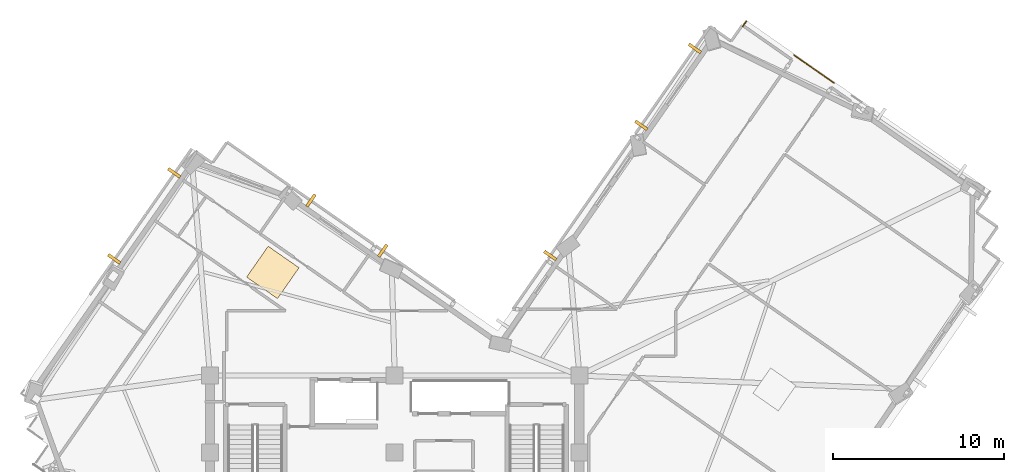
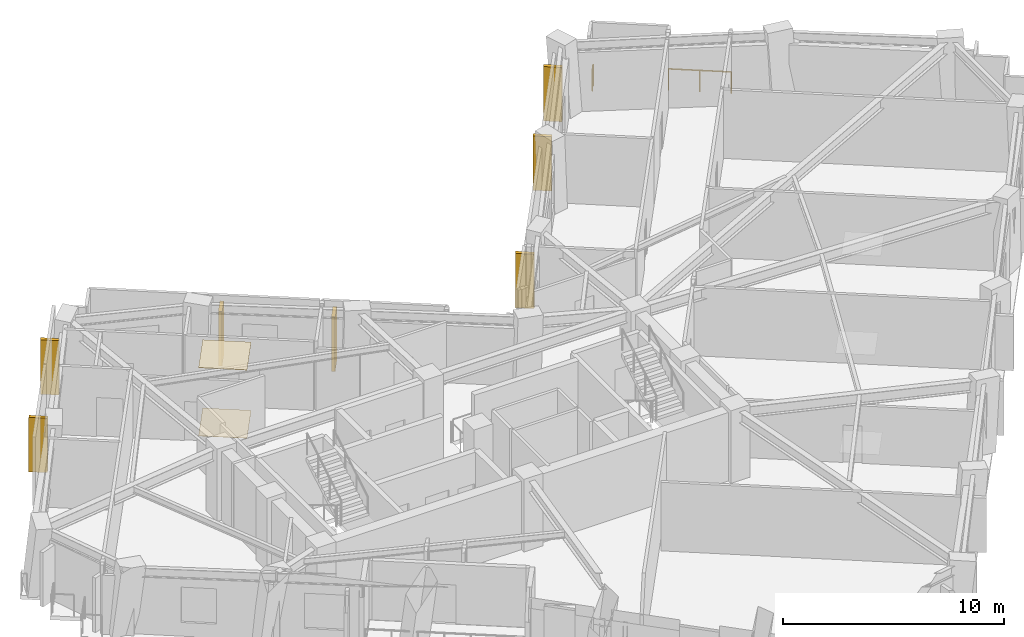
# One storey, part 11 of 12: 7 shading devices, 2 coverings, 2 railings.
"""IFC4 building model written with IfcOpenShell, lengths in metres."""

from ifc_helpers import new_model, si_unit, direction, frame, origin, origin_2d, place, context, subcontext, project, spatial, rectangle, circle, extrude, material, layer, layer_set, type_object, element, save


model = new_model("IFC4")

# Units and contexts
model_context = context("Model", 3, precision=1e-05, world=origin(), true_north=direction((0.0, 1.0)))
body_context = subcontext(model_context, "Body", "Model", "MODEL_VIEW")
ifc_project = project(units=[si_unit("LENGTHUNIT", "METRE"), si_unit("AREAUNIT", "SQUARE_METRE"), si_unit("VOLUMEUNIT", "CUBIC_METRE"), si_unit("PLANEANGLEUNIT", "RADIAN"), si_unit("MASSUNIT", "GRAM", prefix="KILO")], contexts=[model_context])

# Site, building, storey
site_placement = place(None, origin())
site = spatial("IfcSite", under=ifc_project, at=site_placement, CompositionType="ELEMENT")
building_placement = place(site_placement, origin())
building = spatial("IfcBuilding", under=site, at=building_placement, Name="Gaonmaruhae Medical Tower", CompositionType="ELEMENT")
storey_placement = place(building_placement, frame((0.0, 0.0, 259.199951171875)))
storey = spatial("IfcBuildingStorey", under=building, at=storey_placement, Name="L62", CompositionType="ELEMENT", Elevation=259.199951171875)

# Coverings
ifc_material_1 = material(Name="Acoustic mineral ceiling tile", Category="finish")
ifc_layer_1 = layer(ifc_material_1, 0.02490234375)
ifc_layer_set_1 = layer_set([ifc_layer_1], Name="Acoustic mineral ceiling tile")
covering_type_1 = type_object("IfcCoveringType", Name="CLG-01 Antimicrobial Acoustic Mineral Ceiling", PredefinedType="CEILING", material=ifc_layer_set_1)
covering_1_placement = place(storey_placement, frame((17.6748046875, 22.832763671875, 3.755126953125), z_axis=(0.0, 0.0, 1.0), x_axis=(0.572145873446, 0.820151875874, 0.0)))
element("IfcCovering", 1, at=covering_1_placement, inside=storey, type_object=covering_type_1, Name="L62 Clinical Corridor Acoustic Ceiling", PredefinedType="CEILING", context=body_context, shape_type="SweptSolid", body=[
    extrude(rectangle(XDim=2.199951171875, YDim=2.199951171875, at=origin_2d()), origin(), (0.0, 0.0, 1.0), 0.02490234375),
])
ifc_material_2 = material(Name="Seamless clinical vinyl flooring", Category="finish")
ifc_layer_2 = layer(ifc_material_2, 0.014892578125)
ifc_layer_set_2 = layer_set([ifc_layer_2], Name="Seamless clinical vinyl flooring")
covering_type_2 = type_object("IfcCoveringType", Name="FLR-01 Seamless Clinical Antistatic Vinyl Flooring", PredefinedType="FLOORING", material=ifc_layer_set_2)
covering_2_placement = place(storey_placement, frame((17.6748046875, 22.832763671875, 0.00048828125), z_axis=(0.0, 0.0, 1.0), x_axis=(0.572145873446, 0.820151875874, 0.0)))
element("IfcCovering", 2, at=covering_2_placement, inside=storey, type_object=covering_type_2, Name="L62 Clinical Corridor Vinyl Flooring", PredefinedType="FLOORING", context=body_context, shape_type="SweptSolid", body=[
    extrude(rectangle(XDim=2.199951171875, YDim=2.199951171875, at=origin_2d()), origin(), (0.0, 0.0, 1.0), 0.014892578125),
])

# Railings
ifc_material_3 = material(Name="Stainless steel 316L and laminated safety glass", Category="steel")
ifc_layer_3 = layer(ifc_material_3, 0.080078125)
ifc_layer_set_3 = layer_set([ifc_layer_3], Name="Stainless steel 316L and laminated safety glass")
railing_type = type_object("IfcRailingType", Name="GD-120 Outdoor Terrace Safety Glass & Steel Balustrade", PredefinedType="BALUSTRADE", material=ifc_layer_set_3)
railing_1_placement = place(storey_placement, frame((45.148193359375, 37.211669921875, 0.0)))
element("IfcRailing", 3, at=railing_1_placement, inside=storey, type_object=railing_type, Name="L62 Perimeter Slab Edge Safety Balustrade 04", PredefinedType="BALUSTRADE", context=body_context, shape_type="SweptSolid", body=[
    extrude(circle(Radius=0.02392578125, at=origin_2d()), frame((0.0, 0.0, 1.17578125), z_axis=(0.572336944093, 0.82001855005, 0.0), x_axis=(-0.82001855005, 0.572336944093, 0.0)), (0.0, 0.0, 1.0), 0.393310546875),
    extrude(circle(Radius=0.02099609375, at=origin_2d()), origin(), (0.0, 0.0, 1.0), 1.15185546875),
    extrude(circle(Radius=0.02099609375, at=origin_2d()), frame((0.22509765625, 0.322509765625, 0.0)), (0.0, 0.0, 1.0), 1.15185546875),
])
railing_2_placement = place(storey_placement, frame((48.150634765625, 35.53564453125, 0.0)))
element("IfcRailing", 4, at=railing_2_placement, inside=storey, type_object=railing_type, Name="L62 Perimeter Slab Edge Safety Balustrade 05", PredefinedType="BALUSTRADE", context=body_context, shape_type="SweptSolid", body=[
    extrude(circle(Radius=0.02392578125, at=origin_2d()), frame((0.0, 0.0, 1.17578125), z_axis=(0.820168250819, -0.572122399796, 0.0), x_axis=(0.572122399796, 0.820168250819, 0.0)), (0.0, 0.0, 1.0), 2.838623046875),
    extrude(circle(Radius=0.02099609375, at=origin_2d()), origin(), (0.0, 0.0, 1.0), 1.15185546875),
    extrude(circle(Radius=0.02099609375, at=origin_2d()), frame((1.1640625, -0.81201171875, 0.0)), (0.0, 0.0, 1.0), 1.15185546875),
    extrude(circle(Radius=0.02099609375, at=origin_2d()), frame((2.328125, -1.6240234375, 0.0)), (0.0, 0.0, 1.0), 1.15185546875),
])

# Shading devices
ifc_material_4 = material(Name="Pigmented coral precast concrete C45/55", Category="concrete")
shading_device_type = type_object("IfcShadingDeviceType", Name="SD-FIN1 Tower Vertical Coral Precast Shading Fin", PredefinedType="USERDEFINED", material=ifc_material_4)
for number, where, z_axis, x_axis, name in (
    (5, (39.211181640625, 31.436279296875, 0.132568359375), (0.0, 0.0, 1.0), (0.572145873446, 0.820151875874, 0.0), "L62 Vertical Coral Precast Shading Fin E03"),
    (6, (42.34619140625, 35.9306640625, 0.132568359375), (0.0, 0.0, 1.0), (0.572145873446, 0.820151875874, 0.0), "L62 Vertical Coral Precast Shading Fin E03B"),
    (7, (33.89599609375, 23.8173828125, 0.132568359375), (0.0, 0.0, 1.0), (0.572145873446, 0.820151875874, 0.0), "L62 Vertical Coral Precast Shading Fin EN02B"),
    (8, (19.9013671875, 27.034423828125, 0.132568359375), (0.0, 0.0, 1.0), (0.820151875874, -0.572145873446, 0.0), "L62 Vertical Coral Precast Shading Fin NE01"),
    (9, (24.10400390625, 24.102783203125, 0.132568359375), (0.0, 0.0, 1.0), (0.820151875874, -0.572145873446, 0.0), "L62 Vertical Coral Precast Shading Fin NE01B"),
    (10, (8.397705078125, 23.62060546875, 0.132568359375), (0.0, 0.0, 1.0), (0.572145873446, 0.820151875874, 0.0), "L62 Vertical Coral Precast Shading Fin N01"),
    (11, (11.9072265625, 28.651611328125, 0.132568359375), (0.0, 0.0, 1.0), (0.572145873446, 0.820151875874, 0.0), "L62 Vertical Coral Precast Shading Fin N01B"),
):
    element("IfcShadingDevice", number, at=place(storey_placement, frame(where, z_axis=z_axis, x_axis=x_axis)), inside=storey, type_object=shading_device_type, Name=name, ObjectType="FIN", PredefinedType="USERDEFINED", context=body_context, shape_type="SweptSolid", body=[
        extrude(rectangle(XDim=0.179931640625, YDim=0.85009765625, at=origin_2d()), origin(), (0.0, 0.0, 1.0), 3.0),
    ])

save(model, "model.ifc")
